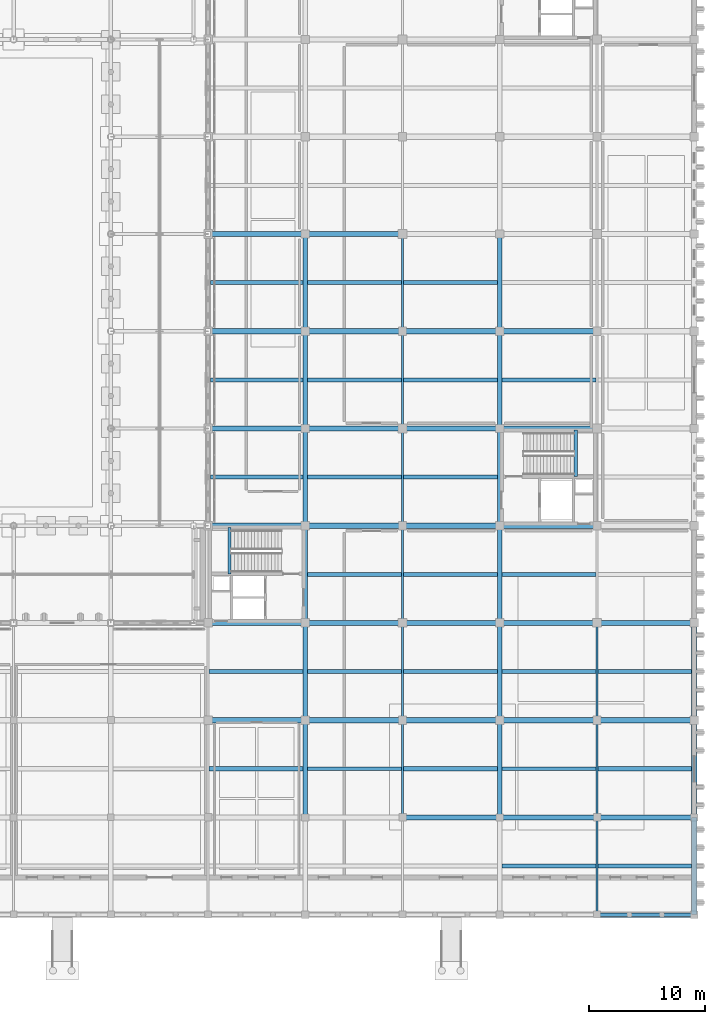
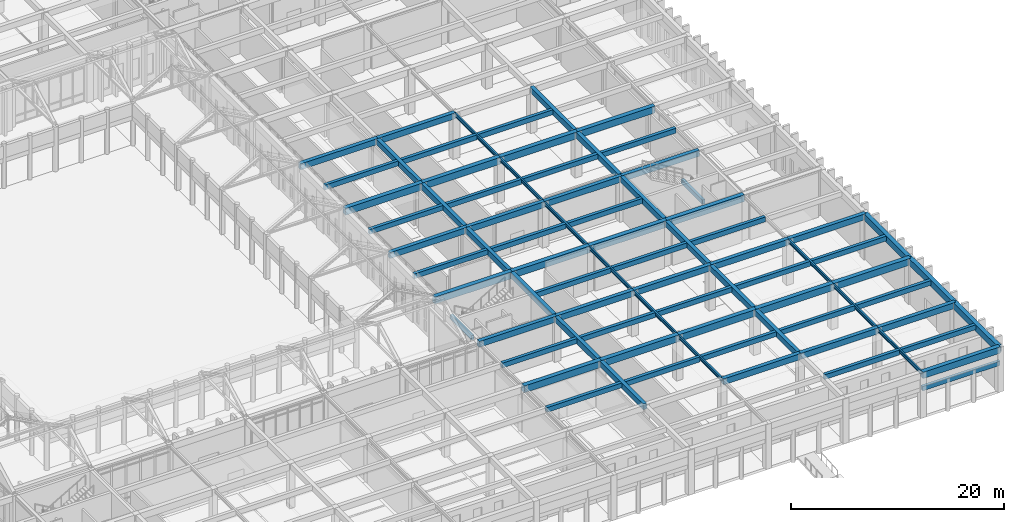
# One storey, part 68 of 143: 80 beams.
"""IFC4 building model written with IfcOpenShell, lengths in metres."""

import ifcopenshell
import ifcopenshell.guid

model = None  # the IFC model being written
_history = None  # IfcOwnerHistory: only IFC2X3 demands one
_inside = {}  # id of a spatial element -> (the spatial element, [elements in it])
_under = {}  # id of a project, library or spatial element -> (it, [spatial elements below it])
_declared = {}  # id of a project -> (the project, [libraries it declares])
_typed = {}  # id of a type object -> (the type object, [elements of that type])
_made_of = {}  # id of a material, layer set ... -> (it, [elements and type objects made of it])


def new_model(schema):
    """Start an empty IFC model of exactly this schema.

    Asked for "IFC4X3", IfcOpenShell would pick the latest addendum, in which some entities
    have other attributes; the version numbers below select the first issue.
    IFC2X3 requires an IfcOwnerHistory on every rooted entity: one is made here for all.
    """
    global model, _history
    if schema == "IFC4X3":
        model = ifcopenshell.file(schema_version=(4, 3, 0, 0))
    else:
        model = ifcopenshell.file(schema=schema)
    _inside.clear()
    _under.clear()
    _declared.clear()
    _typed.clear()
    _made_of.clear()
    _history = None
    if model.schema == "IFC2X3":
        org = make("IfcOrganization", Name="unknown")
        user = make(
            "IfcPersonAndOrganization",
            ThePerson=make("IfcPerson", FamilyName="unknown"),
            TheOrganization=org,
        )
        app = make(
            "IfcApplication",
            ApplicationDeveloper=org,
            Version="unknown",
            ApplicationFullName="unknown",
            ApplicationIdentifier="unknown",
        )
        _history = make(
            "IfcOwnerHistory",
            OwningUser=user,
            OwningApplication=app,
            ChangeAction="ADDED",
            CreationDate=0,
        )
    return model


def make(cls, **values):
    """One entity of the class cls with the attributes given. An attribute that is None is left unset."""
    return model.create_entity(
        cls, **{name: value for name, value in values.items() if value is not None}
    )


def rooted(cls, **values):
    """An entity with a GlobalId (a new one), such as an element, a storey or a relation."""
    return make(cls, GlobalId=ifcopenshell.guid.new(), OwnerHistory=_history, **values)


def si_unit(unit_type, name, prefix=None):
    """IfcSIUnit, for example si_unit("LENGTHUNIT", "METRE", prefix="MILLI")."""
    return make("IfcSIUnit", UnitType=unit_type, Prefix=prefix, Name=name)


def assignment(units):
    """IfcUnitAssignment: the units of a project."""
    return None if units is None else make("IfcUnitAssignment", Units=units)


def point(xyz):
    """IfcCartesianPoint."""
    return None if xyz is None else make("IfcCartesianPoint", Coordinates=xyz)


def direction(xyz):
    """IfcDirection."""
    return None if xyz is None else make("IfcDirection", DirectionRatios=xyz)


def frame(location, z_axis=None, x_axis=None):
    """IfcAxis2Placement3D, a coordinate frame: its origin and axes. An axis left out is left unset."""
    return make(
        "IfcAxis2Placement3D",
        Location=point(location),
        Axis=direction(z_axis),
        RefDirection=direction(x_axis),
    )


def frame_2d(location, x_axis=None):
    """IfcAxis2Placement2D, a coordinate frame in the plane: its origin and x axis."""
    return make(
        "IfcAxis2Placement2D", Location=point(location), RefDirection=direction(x_axis)
    )


def origin():
    """The frame at (0, 0, 0) with its axes left unset."""
    return frame((0.0, 0.0, 0.0))


def origin_2d():
    """The frame at (0, 0) in the plane with its x axis left unset."""
    return frame_2d((0.0, 0.0))


def place(relative_to, where):
    """IfcLocalPlacement: puts the frame where relative to a parent placement (None: the world)."""
    return make(
        "IfcLocalPlacement", PlacementRelTo=relative_to, RelativePlacement=where
    )


def context(
    kind, dimensions, precision=None, world=None, true_north=None, identifier=None
):
    """IfcGeometricRepresentationContext, for example the 3D "Model" context."""
    return make(
        "IfcGeometricRepresentationContext",
        ContextIdentifier=identifier,
        ContextType=kind,
        CoordinateSpaceDimension=dimensions,
        Precision=precision,
        WorldCoordinateSystem=world,
        TrueNorth=true_north,
    )


def subcontext(parent, identifier, kind, view, scale=None):
    """IfcGeometricRepresentationSubContext, for example "Body" below "Model"."""
    return make(
        "IfcGeometricRepresentationSubContext",
        ContextIdentifier=identifier,
        ContextType=kind,
        ParentContext=parent,
        TargetScale=scale,
        TargetView=view,
    )


def project(units=None, contexts=None):
    """IfcProject with its units and contexts."""
    return rooted(
        "IfcProject",
        Name="project",
        RepresentationContexts=contexts,
        UnitsInContext=assignment(units),
    )


def spatial(cls, under=None, at=None, **own):
    """A site, building, storey or space (cls), placed at a placement, below another one or the project."""
    s = rooted(cls, ObjectPlacement=at, **own)
    if under is not None:
        _under.setdefault(under.id(), (under, []))[1].append(s)
    return s


def profile(cls, at=None, kind="AREA", **sizes):
    """A parametric profile (cls). Its sizes go by their IFC names, for example OverallWidth=200.0."""
    return make(cls, ProfileType=kind, Position=at, **sizes)


def rectangle(**sizes):
    """IfcRectangleProfileDef."""
    return profile("IfcRectangleProfileDef", **sizes)


def i_section(**sizes):
    """IfcIShapeProfileDef."""
    return profile("IfcIShapeProfileDef", **sizes)


def extrude(swept, where, along, depth):
    """IfcExtrudedAreaSolid: the profile swept, set in the frame where, extruded along a direction by depth."""
    return make(
        "IfcExtrudedAreaSolid",
        SweptArea=swept,
        Position=where,
        ExtrudedDirection=direction(along),
        Depth=depth,
    )


def shape(context_of_items, identifier, shape_type, items):
    """IfcShapeRepresentation: the items that make up one representation, for example the "Body"."""
    return make(
        "IfcShapeRepresentation",
        ContextOfItems=context_of_items,
        RepresentationIdentifier=identifier,
        RepresentationType=shape_type,
        Items=items,
    )


def material(Name=None, Category=None):
    """IfcMaterial."""
    return make("IfcMaterial", Name=Name, Category=Category)


def material_profile(
    of_material, cross_section, Name=None, Category=None, Priority=None
):
    """IfcMaterialProfile: a cross section and its material."""
    return make(
        "IfcMaterialProfile",
        Name=Name,
        Material=of_material,
        Profile=cross_section,
        Priority=Priority,
        Category=Category,
    )


def profile_set(profiles, Name=None, composite=None):
    """IfcMaterialProfileSet."""
    return make(
        "IfcMaterialProfileSet",
        Name=Name,
        MaterialProfiles=profiles,
        CompositeProfile=composite,
    )


def made_of(thing, what):
    """Note that an element or type object is made of a material, layer set ...; save() writes the relation."""
    if what is not None:
        _made_of.setdefault(what.id(), (what, []))[1].append(thing)
    return thing


def type_object(cls, material=None, **own):
    """A type object (cls), such as IfcWallType, which elements share."""
    return made_of(rooted(cls, **own), material)


def element(
    cls,
    number,
    at=None,
    inside=None,
    cuts=None,
    type_object=None,
    material=None,
    context=None,
    identifier="Body",
    shape_type=None,
    held_by="IfcProductDefinitionShape",
    body=None,
    shapes=None,
    **own,
):
    """One element of the class cls, such as IfcWall. Its Tag is "e" and its number.

    at: its placement. inside: the storey or other place that contains it. cuts: it is an
    opening in that element (IfcRelVoidsElement). A single representation is given by context,
    identifier, shape_type and body (its items); several are given by shapes. held_by: the class
    of the entity that holds the representations. save() writes the other relations.
    """
    e = rooted(cls, Tag="e%d" % number, ObjectPlacement=at, **own)
    if body is not None:
        shapes = [shape(context, identifier, shape_type, body)]
    if shapes is not None:
        e.Representation = make(held_by, Representations=shapes)
    if inside is not None:
        _inside.setdefault(inside.id(), (inside, []))[1].append(e)
    if cuts is not None:
        rooted(
            "IfcRelVoidsElement", RelatingBuildingElement=cuts, RelatedOpeningElement=e
        )
    if type_object is not None:
        _typed.setdefault(type_object.id(), (type_object, []))[1].append(e)
    return made_of(e, material)


def aggregate(whole, parts):
    """IfcRelAggregates: a whole, such as a stair, and the parts it consists of."""
    return rooted("IfcRelAggregates", RelatingObject=whole, RelatedObjects=parts)


def save(model, path):
    """Write the relations noted so far, then the file.

    IfcRelAggregates (storeys below a building ...), IfcRelContainedInSpatialStructure (elements
    in a storey), IfcRelDefinesByType, IfcRelAssociatesMaterial and IfcRelDeclares: one each for
    every whole, place, type object, material and project.
    """
    for whole, parts in _under.values():
        aggregate(whole, parts)
    for where, things in _inside.values():
        rooted(
            "IfcRelContainedInSpatialStructure",
            RelatedElements=things,
            RelatingStructure=where,
        )
    for kind, things in _typed.values():
        rooted("IfcRelDefinesByType", RelatedObjects=things, RelatingType=kind)
    for what, things in _made_of.values():
        rooted("IfcRelAssociatesMaterial", RelatedObjects=things, RelatingMaterial=what)
    for by, libraries in _declared.values():
        rooted("IfcRelDeclares", RelatingContext=by, RelatedDefinitions=libraries)
    model.write(path)


model = new_model("IFC4")

# Units and contexts
model_context = context("Model", 3, precision=1e-05, world=origin(), true_north=direction((0.0, 1.0)))
body_context = subcontext(model_context, "Body", "Model", "MODEL_VIEW")
ifc_project = project(units=[si_unit("LENGTHUNIT", "METRE"), si_unit("AREAUNIT", "SQUARE_METRE"), si_unit("VOLUMEUNIT", "CUBIC_METRE"), si_unit("PLANEANGLEUNIT", "RADIAN"), si_unit("MASSUNIT", "GRAM", prefix="KILO")], contexts=[model_context])

# Site, building, storey
site_placement = place(None, origin())
site = spatial("IfcSite", under=ifc_project, at=site_placement, CompositionType="ELEMENT")
building_placement = place(site_placement, origin())
building = spatial("IfcBuilding", under=site, at=building_placement, Name="Kveldsbrygga Polytechnic", CompositionType="ELEMENT")
storey_placement = place(building_placement, origin())
storey = spatial("IfcBuildingStorey", under=building, at=storey_placement, Name="L00", CompositionType="ELEMENT", Elevation=0.0)

# Beams
ifc_material_1 = material(Name="Concrete C35/45", Category="concrete")
ifc_material_profile_1 = material_profile(ifc_material_1, rectangle(XDim=0.39990234375, YDim=0.64990234375, at=origin_2d()), Name="RC 400x650")
ifc_profile_set_1 = profile_set([ifc_material_profile_1], Name="Concrete C35/45")
beam_type_1 = type_object("IfcBeamType", Name="BM-RC-400x650", PredefinedType="BEAM", material=ifc_profile_set_1)
beam_1_placement = place(storey_placement, frame((134.39990234375, 8.39990234375, 4.81494140625), z_axis=(0.0, 1.0, 0.0), x_axis=(-1.0, 0.0, 0.0)))
element("IfcBeam", 1, at=beam_1_placement, inside=storey, type_object=beam_type_1, Name="Primary Beam BMY-L00-16-01to02", PredefinedType="BEAM", context=body_context, shape_type="SweptSolid", body=[
    extrude(rectangle(XDim=0.39990234375, YDim=0.64990234375, at=origin_2d()), origin(), (0.0, 0.0, 1.0), 8.400146484375),
])
beam_2_placement = place(storey_placement, frame((134.39990234375, 16.800048828125, 4.81494140625), z_axis=(0.0, 1.0, 0.0), x_axis=(-1.0, 0.0, 0.0)))
element("IfcBeam", 2, at=beam_2_placement, inside=storey, type_object=beam_type_1, Name="Primary Beam BMY-L00-16-02to03", PredefinedType="BEAM", context=body_context, shape_type="SweptSolid", body=[
    extrude(rectangle(XDim=0.39990234375, YDim=0.64990234375, at=origin_2d()), origin(), (0.0, 0.0, 1.0), 8.39990234375),
])
beam_3_placement = place(storey_placement, frame((134.39990234375, 25.199951171875, 4.81494140625), z_axis=(0.0, 1.0, 0.0), x_axis=(-1.0, 0.0, 0.0)))
element("IfcBeam", 3, at=beam_3_placement, inside=storey, type_object=beam_type_1, Name="Primary Beam BMY-L00-16-03to04", PredefinedType="BEAM", context=body_context, shape_type="SweptSolid", body=[
    extrude(rectangle(XDim=0.39990234375, YDim=0.64990234375, at=origin_2d()), origin(), (0.0, 0.0, 1.0), 8.400146484375),
])
for number, where, z_axis, x_axis, name in (
    (4, (134.39990234375, 33.60009765625, 4.81494140625), (0.0, 1.0, 0.0), (-1.0, 0.0, 0.0), "Primary Beam BMY-L00-16-04to05"),
    (5, (134.39990234375, 42.0, 4.81494140625), (0.0, 1.0, 0.0), (-1.0, 0.0, 0.0), "Primary Beam BMY-L00-16-05to06"),
):
    element("IfcBeam", number, at=place(storey_placement, frame(where, z_axis=z_axis, x_axis=x_axis)), inside=storey, type_object=beam_type_1, Name=name, PredefinedType="BEAM", context=body_context, shape_type="SweptSolid", body=[
        extrude(rectangle(XDim=0.39990234375, YDim=0.64990234375, at=origin_2d()), origin(), (0.0, 0.0, 1.0), 8.39990234375),
    ])
for number, where, z_axis, x_axis, name in (
    (6, (134.39990234375, 50.39990234375, 4.81494140625), (0.0, 1.0, 0.0), (-1.0, 0.0, 0.0), "Primary Beam BMY-L00-16-06to07"),
    (7, (151.199951171875, 8.39990234375, 4.81494140625), (0.0, 1.0, 0.0), (-1.0, 0.0, 0.0), "Primary Beam BMY-L00-18-01to02"),
):
    element("IfcBeam", number, at=place(storey_placement, frame(where, z_axis=z_axis, x_axis=x_axis)), inside=storey, type_object=beam_type_1, Name=name, PredefinedType="BEAM", context=body_context, shape_type="SweptSolid", body=[
        extrude(rectangle(XDim=0.39990234375, YDim=0.64990234375, at=origin_2d()), origin(), (0.0, 0.0, 1.0), 8.400146484375),
    ])
beam_4_placement = place(storey_placement, frame((151.199951171875, 16.800048828125, 4.81494140625), z_axis=(0.0, 1.0, 0.0), x_axis=(-1.0, 0.0, 0.0)))
element("IfcBeam", 8, at=beam_4_placement, inside=storey, type_object=beam_type_1, Name="Primary Beam BMY-L00-18-02to03", PredefinedType="BEAM", context=body_context, shape_type="SweptSolid", body=[
    extrude(rectangle(XDim=0.39990234375, YDim=0.64990234375, at=origin_2d()), origin(), (0.0, 0.0, 1.0), 8.39990234375),
])
beam_5_placement = place(storey_placement, frame((151.199951171875, 25.199951171875, 4.81494140625), z_axis=(0.0, 1.0, 0.0), x_axis=(-1.0, 0.0, 0.0)))
element("IfcBeam", 9, at=beam_5_placement, inside=storey, type_object=beam_type_1, Name="Primary Beam BMY-L00-18-03to04", PredefinedType="BEAM", context=body_context, shape_type="SweptSolid", body=[
    extrude(rectangle(XDim=0.39990234375, YDim=0.64990234375, at=origin_2d()), origin(), (0.0, 0.0, 1.0), 8.400146484375),
])
for number, where, z_axis, x_axis, name in (
    (10, (151.199951171875, 33.60009765625, 4.81494140625), (0.0, 1.0, 0.0), (-1.0, 0.0, 0.0), "Primary Beam BMY-L00-18-04to05"),
    (11, (151.199951171875, 42.0, 4.81494140625), (0.0, 1.0, 0.0), (-1.0, 0.0, 0.0), "Primary Beam BMY-L00-18-05to06"),
):
    element("IfcBeam", number, at=place(storey_placement, frame(where, z_axis=z_axis, x_axis=x_axis)), inside=storey, type_object=beam_type_1, Name=name, PredefinedType="BEAM", context=body_context, shape_type="SweptSolid", body=[
        extrude(rectangle(XDim=0.39990234375, YDim=0.64990234375, at=origin_2d()), origin(), (0.0, 0.0, 1.0), 8.39990234375),
    ])
beam_6_placement = place(storey_placement, frame((151.199951171875, 50.39990234375, 4.81494140625), z_axis=(0.0, 1.0, 0.0), x_axis=(-1.0, 0.0, 0.0)))
element("IfcBeam", 12, at=beam_6_placement, inside=storey, type_object=beam_type_1, Name="Primary Beam BMY-L00-18-06to07", PredefinedType="BEAM", context=body_context, shape_type="SweptSolid", body=[
    extrude(rectangle(XDim=0.39990234375, YDim=0.64990234375, at=origin_2d()), origin(), (0.0, 0.0, 1.0), 8.400146484375),
])
ifc_material_profile_2 = material_profile(ifc_material_1, rectangle(XDim=0.419921875, YDim=0.679931640625, at=origin_2d()), Name="RC 420x680")
ifc_profile_set_2 = profile_set([ifc_material_profile_2], Name="Concrete C35/45")
beam_type_2 = type_object("IfcBeamType", Name="BM-RC-420x680", PredefinedType="BEAM", material=ifc_profile_set_2)
beam_7_placement = place(storey_placement, frame((142.800048828125, 8.39990234375, 4.800048828125), z_axis=(1.0, 0.0, 0.0), x_axis=(0.0, 1.0, 0.0)))
element("IfcBeam", 13, at=beam_7_placement, inside=storey, type_object=beam_type_2, Name="Primary Beam BMX-L00-17to18-01", PredefinedType="BEAM", context=body_context, shape_type="SweptSolid", body=[
    extrude(rectangle(XDim=0.419921875, YDim=0.679931640625, at=origin_2d()), origin(), (0.0, 0.0, 1.0), 8.39990234375),
])
beam_8_placement = place(storey_placement, frame((151.199951171875, 8.39990234375, 4.800048828125), z_axis=(1.0, 0.0, 0.0), x_axis=(0.0, 1.0, 0.0)))
element("IfcBeam", 14, at=beam_8_placement, inside=storey, type_object=beam_type_2, Name="Primary Beam BMX-L00-18to19-01", PredefinedType="BEAM", context=body_context, shape_type="SweptSolid", body=[
    extrude(rectangle(XDim=0.419921875, YDim=0.679931640625, at=origin_2d()), origin(), (0.0, 0.0, 1.0), 8.400146484375),
])
for number, where, z_axis, x_axis, name in (
    (15, (159.60009765625, 8.39990234375, 4.800048828125), (1.0, 0.0, 0.0), (0.0, 1.0, 0.0), "Primary Beam BMX-L00-19to20-01"),
    (16, (126.0, 25.199951171875, 4.800048828125), (1.0, 0.0, 0.0), (0.0, 1.0, 0.0), "Primary Beam BMX-L00-15to16-03"),
):
    element("IfcBeam", number, at=place(storey_placement, frame(where, z_axis=z_axis, x_axis=x_axis)), inside=storey, type_object=beam_type_2, Name=name, PredefinedType="BEAM", context=body_context, shape_type="SweptSolid", body=[
        extrude(rectangle(XDim=0.419921875, YDim=0.679931640625, at=origin_2d()), origin(), (0.0, 0.0, 1.0), 8.39990234375),
    ])
beam_9_placement = place(storey_placement, frame((134.39990234375, 25.199951171875, 4.800048828125), z_axis=(1.0, 0.0, 0.0), x_axis=(0.0, 1.0, 0.0)))
element("IfcBeam", 17, at=beam_9_placement, inside=storey, type_object=beam_type_2, Name="Primary Beam BMX-L00-16to17-03", PredefinedType="BEAM", context=body_context, shape_type="SweptSolid", body=[
    extrude(rectangle(XDim=0.419921875, YDim=0.679931640625, at=origin_2d()), origin(), (0.0, 0.0, 1.0), 8.400146484375),
])
beam_10_placement = place(storey_placement, frame((142.800048828125, 25.199951171875, 4.800048828125), z_axis=(1.0, 0.0, 0.0), x_axis=(0.0, 1.0, 0.0)))
element("IfcBeam", 18, at=beam_10_placement, inside=storey, type_object=beam_type_2, Name="Primary Beam BMX-L00-17to18-03", PredefinedType="BEAM", context=body_context, shape_type="SweptSolid", body=[
    extrude(rectangle(XDim=0.419921875, YDim=0.679931640625, at=origin_2d()), origin(), (0.0, 0.0, 1.0), 8.39990234375),
])
beam_11_placement = place(storey_placement, frame((151.199951171875, 25.199951171875, 4.800048828125), z_axis=(1.0, 0.0, 0.0), x_axis=(0.0, 1.0, 0.0)))
element("IfcBeam", 19, at=beam_11_placement, inside=storey, type_object=beam_type_2, Name="Primary Beam BMX-L00-18to19-03", PredefinedType="BEAM", context=body_context, shape_type="SweptSolid", body=[
    extrude(rectangle(XDim=0.419921875, YDim=0.679931640625, at=origin_2d()), origin(), (0.0, 0.0, 1.0), 8.400146484375),
])
for number, where, z_axis, x_axis, name in (
    (20, (159.60009765625, 25.199951171875, 4.800048828125), (1.0, 0.0, 0.0), (0.0, 1.0, 0.0), "Primary Beam BMX-L00-19to20-03"),
    (21, (126.0, 42.0, 4.800048828125), (1.0, 0.0, 0.0), (0.0, 1.0, 0.0), "Primary Beam BMX-L00-15to16-05"),
):
    element("IfcBeam", number, at=place(storey_placement, frame(where, z_axis=z_axis, x_axis=x_axis)), inside=storey, type_object=beam_type_2, Name=name, PredefinedType="BEAM", context=body_context, shape_type="SweptSolid", body=[
        extrude(rectangle(XDim=0.419921875, YDim=0.679931640625, at=origin_2d()), origin(), (0.0, 0.0, 1.0), 8.39990234375),
    ])
beam_12_placement = place(storey_placement, frame((134.39990234375, 42.0, 4.800048828125), z_axis=(1.0, 0.0, 0.0), x_axis=(0.0, 1.0, 0.0)))
element("IfcBeam", 22, at=beam_12_placement, inside=storey, type_object=beam_type_2, Name="Primary Beam BMX-L00-16to17-05", PredefinedType="BEAM", context=body_context, shape_type="SweptSolid", body=[
    extrude(rectangle(XDim=0.419921875, YDim=0.679931640625, at=origin_2d()), origin(), (0.0, 0.0, 1.0), 8.400146484375),
])
beam_13_placement = place(storey_placement, frame((142.800048828125, 42.0, 4.800048828125), z_axis=(1.0, 0.0, 0.0), x_axis=(0.0, 1.0, 0.0)))
element("IfcBeam", 23, at=beam_13_placement, inside=storey, type_object=beam_type_2, Name="Primary Beam BMX-L00-17to18-05", PredefinedType="BEAM", context=body_context, shape_type="SweptSolid", body=[
    extrude(rectangle(XDim=0.419921875, YDim=0.679931640625, at=origin_2d()), origin(), (0.0, 0.0, 1.0), 8.39990234375),
])
beam_14_placement = place(storey_placement, frame((151.199951171875, 42.0, 4.800048828125), z_axis=(1.0, 0.0, 0.0), x_axis=(0.0, 1.0, 0.0)))
element("IfcBeam", 24, at=beam_14_placement, inside=storey, type_object=beam_type_2, Name="Primary Beam BMX-L00-18to19-05", PredefinedType="BEAM", context=body_context, shape_type="SweptSolid", body=[
    extrude(rectangle(XDim=0.419921875, YDim=0.679931640625, at=origin_2d()), origin(), (0.0, 0.0, 1.0), 8.400146484375),
])
beam_15_placement = place(storey_placement, frame((126.0, 58.800048828125, 4.800048828125), z_axis=(1.0, 0.0, 0.0), x_axis=(0.0, 1.0, 0.0)))
element("IfcBeam", 25, at=beam_15_placement, inside=storey, type_object=beam_type_2, Name="Primary Beam BMX-L00-15to16-07", PredefinedType="BEAM", context=body_context, shape_type="SweptSolid", body=[
    extrude(rectangle(XDim=0.419921875, YDim=0.679931640625, at=origin_2d()), origin(), (0.0, 0.0, 1.0), 8.39990234375),
])
beam_16_placement = place(storey_placement, frame((134.39990234375, 58.800048828125, 4.800048828125), z_axis=(1.0, 0.0, 0.0), x_axis=(0.0, 1.0, 0.0)))
element("IfcBeam", 26, at=beam_16_placement, inside=storey, type_object=beam_type_2, Name="Primary Beam BMX-L00-16to17-07", PredefinedType="BEAM", context=body_context, shape_type="SweptSolid", body=[
    extrude(rectangle(XDim=0.419921875, YDim=0.679931640625, at=origin_2d()), origin(), (0.0, 0.0, 1.0), 8.400146484375),
])
ifc_material_profile_3 = material_profile(ifc_material_1, rectangle(XDim=0.449951171875, YDim=0.75, at=origin_2d()), Name="RC 450x750")
ifc_profile_set_3 = profile_set([ifc_material_profile_3], Name="Concrete C35/45")
beam_type_3 = type_object("IfcBeamType", Name="BM-RC-450x750", PredefinedType="BEAM", material=ifc_profile_set_3)
beam_17_placement = place(storey_placement, frame((168.0, 0.0, 4.764892578125), z_axis=(0.0, 1.0, 0.0), x_axis=(-1.0, 0.0, 0.0)))
element("IfcBeam", 27, at=beam_17_placement, inside=storey, type_object=beam_type_3, Name="Primary Beam BMY-L00-20-00to01", PredefinedType="BEAM", context=body_context, shape_type="SweptSolid", body=[
    extrude(rectangle(XDim=0.449951171875, YDim=0.75, at=origin_2d()), origin(), (0.0, 0.0, 1.0), 8.39990234375),
])
beam_18_placement = place(storey_placement, frame((168.0, 8.39990234375, 4.764892578125), z_axis=(0.0, 1.0, 0.0), x_axis=(-1.0, 0.0, 0.0)))
element("IfcBeam", 28, at=beam_18_placement, inside=storey, type_object=beam_type_3, Name="Primary Beam BMY-L00-20-01to02", PredefinedType="BEAM", context=body_context, shape_type="SweptSolid", body=[
    extrude(rectangle(XDim=0.449951171875, YDim=0.75, at=origin_2d()), origin(), (0.0, 0.0, 1.0), 8.400146484375),
])
beam_19_placement = place(storey_placement, frame((168.0, 16.800048828125, 4.764892578125), z_axis=(0.0, 1.0, 0.0), x_axis=(-1.0, 0.0, 0.0)))
element("IfcBeam", 29, at=beam_19_placement, inside=storey, type_object=beam_type_3, Name="Primary Beam BMY-L00-20-02to03", PredefinedType="BEAM", context=body_context, shape_type="SweptSolid", body=[
    extrude(rectangle(XDim=0.449951171875, YDim=0.75, at=origin_2d()), origin(), (0.0, 0.0, 1.0), 8.39990234375),
])
ifc_material_profile_4 = material_profile(ifc_material_1, rectangle(XDim=0.4599609375, YDim=0.739990234375, at=origin_2d()), Name="RC 460x740")
ifc_profile_set_4 = profile_set([ifc_material_profile_4], Name="Concrete C35/45")
beam_type_4 = type_object("IfcBeamType", Name="BM-RC-460x740", PredefinedType="BEAM", material=ifc_profile_set_4)
beam_20_placement = place(storey_placement, frame((159.60009765625, 0.0, 4.77001953125), z_axis=(1.0, 0.0, 0.0), x_axis=(0.0, 1.0, 0.0)))
element("IfcBeam", 30, at=beam_20_placement, inside=storey, type_object=beam_type_4, Name="Primary Beam BMX-L00-19to20-00", PredefinedType="BEAM", context=body_context, shape_type="SweptSolid", body=[
    extrude(rectangle(XDim=0.4599609375, YDim=0.739990234375, at=origin_2d()), origin(), (0.0, 0.0, 1.0), 8.39990234375),
])
ifc_material_profile_5 = material_profile(ifc_material_1, rectangle(XDim=0.47998046875, YDim=0.780029296875, at=origin_2d()), Name="RC 480x780")
ifc_profile_set_5 = profile_set([ifc_material_profile_5], Name="Concrete C35/45")
beam_type_5 = type_object("IfcBeamType", Name="BM-RC-480x780", PredefinedType="BEAM", material=ifc_profile_set_5)
beam_21_placement = place(storey_placement, frame((126.0, 16.800048828125, 4.75), z_axis=(1.0, 0.0, 0.0), x_axis=(0.0, 1.0, 0.0)))
element("IfcBeam", 31, at=beam_21_placement, inside=storey, type_object=beam_type_5, Name="Primary Beam BMX-L00-15to16-02", PredefinedType="BEAM", context=body_context, shape_type="SweptSolid", body=[
    extrude(rectangle(XDim=0.47998046875, YDim=0.780029296875, at=origin_2d()), origin(), (0.0, 0.0, 1.0), 8.39990234375),
])
beam_22_placement = place(storey_placement, frame((134.39990234375, 16.800048828125, 4.75), z_axis=(1.0, 0.0, 0.0), x_axis=(0.0, 1.0, 0.0)))
element("IfcBeam", 32, at=beam_22_placement, inside=storey, type_object=beam_type_5, Name="Primary Beam BMX-L00-16to17-02", PredefinedType="BEAM", context=body_context, shape_type="SweptSolid", body=[
    extrude(rectangle(XDim=0.47998046875, YDim=0.780029296875, at=origin_2d()), origin(), (0.0, 0.0, 1.0), 8.400146484375),
])
beam_23_placement = place(storey_placement, frame((142.800048828125, 16.800048828125, 4.75), z_axis=(1.0, 0.0, 0.0), x_axis=(0.0, 1.0, 0.0)))
element("IfcBeam", 33, at=beam_23_placement, inside=storey, type_object=beam_type_5, Name="Primary Beam BMX-L00-17to18-02", PredefinedType="BEAM", context=body_context, shape_type="SweptSolid", body=[
    extrude(rectangle(XDim=0.47998046875, YDim=0.780029296875, at=origin_2d()), origin(), (0.0, 0.0, 1.0), 8.39990234375),
])
beam_24_placement = place(storey_placement, frame((151.199951171875, 16.800048828125, 4.75), z_axis=(1.0, 0.0, 0.0), x_axis=(0.0, 1.0, 0.0)))
element("IfcBeam", 34, at=beam_24_placement, inside=storey, type_object=beam_type_5, Name="Primary Beam BMX-L00-18to19-02", PredefinedType="BEAM", context=body_context, shape_type="SweptSolid", body=[
    extrude(rectangle(XDim=0.47998046875, YDim=0.780029296875, at=origin_2d()), origin(), (0.0, 0.0, 1.0), 8.400146484375),
])
for number, where, z_axis, x_axis, name in (
    (35, (159.60009765625, 16.800048828125, 4.75), (1.0, 0.0, 0.0), (0.0, 1.0, 0.0), "Primary Beam BMX-L00-19to20-02"),
    (36, (126.0, 33.60009765625, 4.75), (1.0, 0.0, 0.0), (0.0, 1.0, 0.0), "Primary Beam BMX-L00-15to16-04"),
):
    element("IfcBeam", number, at=place(storey_placement, frame(where, z_axis=z_axis, x_axis=x_axis)), inside=storey, type_object=beam_type_5, Name=name, PredefinedType="BEAM", context=body_context, shape_type="SweptSolid", body=[
        extrude(rectangle(XDim=0.47998046875, YDim=0.780029296875, at=origin_2d()), origin(), (0.0, 0.0, 1.0), 8.39990234375),
    ])
beam_25_placement = place(storey_placement, frame((134.39990234375, 33.60009765625, 4.75), z_axis=(1.0, 0.0, 0.0), x_axis=(0.0, 1.0, 0.0)))
element("IfcBeam", 37, at=beam_25_placement, inside=storey, type_object=beam_type_5, Name="Primary Beam BMX-L00-16to17-04", PredefinedType="BEAM", context=body_context, shape_type="SweptSolid", body=[
    extrude(rectangle(XDim=0.47998046875, YDim=0.780029296875, at=origin_2d()), origin(), (0.0, 0.0, 1.0), 8.400146484375),
])
beam_26_placement = place(storey_placement, frame((142.800048828125, 33.60009765625, 4.75), z_axis=(1.0, 0.0, 0.0), x_axis=(0.0, 1.0, 0.0)))
element("IfcBeam", 38, at=beam_26_placement, inside=storey, type_object=beam_type_5, Name="Primary Beam BMX-L00-17to18-04", PredefinedType="BEAM", context=body_context, shape_type="SweptSolid", body=[
    extrude(rectangle(XDim=0.47998046875, YDim=0.780029296875, at=origin_2d()), origin(), (0.0, 0.0, 1.0), 8.39990234375),
])
beam_27_placement = place(storey_placement, frame((151.199951171875, 33.60009765625, 4.75), z_axis=(1.0, 0.0, 0.0), x_axis=(0.0, 1.0, 0.0)))
element("IfcBeam", 39, at=beam_27_placement, inside=storey, type_object=beam_type_5, Name="Primary Beam BMX-L00-18to19-04", PredefinedType="BEAM", context=body_context, shape_type="SweptSolid", body=[
    extrude(rectangle(XDim=0.47998046875, YDim=0.780029296875, at=origin_2d()), origin(), (0.0, 0.0, 1.0), 8.400146484375),
])
beam_28_placement = place(storey_placement, frame((126.0, 50.39990234375, 4.75), z_axis=(1.0, 0.0, 0.0), x_axis=(0.0, 1.0, 0.0)))
element("IfcBeam", 40, at=beam_28_placement, inside=storey, type_object=beam_type_5, Name="Primary Beam BMX-L00-15to16-06", PredefinedType="BEAM", context=body_context, shape_type="SweptSolid", body=[
    extrude(rectangle(XDim=0.47998046875, YDim=0.780029296875, at=origin_2d()), origin(), (0.0, 0.0, 1.0), 8.39990234375),
])
beam_29_placement = place(storey_placement, frame((134.39990234375, 50.39990234375, 4.75), z_axis=(1.0, 0.0, 0.0), x_axis=(0.0, 1.0, 0.0)))
element("IfcBeam", 41, at=beam_29_placement, inside=storey, type_object=beam_type_5, Name="Primary Beam BMX-L00-16to17-06", PredefinedType="BEAM", context=body_context, shape_type="SweptSolid", body=[
    extrude(rectangle(XDim=0.47998046875, YDim=0.780029296875, at=origin_2d()), origin(), (0.0, 0.0, 1.0), 8.400146484375),
])
beam_30_placement = place(storey_placement, frame((142.800048828125, 50.39990234375, 4.75), z_axis=(1.0, 0.0, 0.0), x_axis=(0.0, 1.0, 0.0)))
element("IfcBeam", 42, at=beam_30_placement, inside=storey, type_object=beam_type_5, Name="Primary Beam BMX-L00-17to18-06", PredefinedType="BEAM", context=body_context, shape_type="SweptSolid", body=[
    extrude(rectangle(XDim=0.47998046875, YDim=0.780029296875, at=origin_2d()), origin(), (0.0, 0.0, 1.0), 8.39990234375),
])
beam_31_placement = place(storey_placement, frame((151.199951171875, 50.39990234375, 4.75), z_axis=(1.0, 0.0, 0.0), x_axis=(0.0, 1.0, 0.0)))
element("IfcBeam", 43, at=beam_31_placement, inside=storey, type_object=beam_type_5, Name="Primary Beam BMX-L00-18to19-06", PredefinedType="BEAM", context=body_context, shape_type="SweptSolid", body=[
    extrude(rectangle(XDim=0.47998046875, YDim=0.780029296875, at=origin_2d()), origin(), (0.0, 0.0, 1.0), 8.400146484375),
])
ifc_material_2 = material(Name="Steel S355", Category="steel")
ifc_material_profile_6 = material_profile(ifc_material_2, i_section(OverallWidth=0.179931640625, OverallDepth=0.39990234375, WebThickness=0.008544921875, FlangeThickness=0.013427734375, FilletRadius=0.02099609375, at=origin_2d()), Name="IPE 400")
ifc_profile_set_6 = profile_set([ifc_material_profile_6], Name="Steel S355")
beam_type_6 = type_object("IfcBeamType", Name="BM-STL-IPE400", PredefinedType="BEAM", material=ifc_profile_set_6)
beam_32_placement = place(storey_placement, frame((142.800048828125, 8.39990234375, 4.93994140625), z_axis=(0.0, 1.0, 0.0), x_axis=(-1.0, 0.0, 0.0)))
element("IfcBeam", 44, at=beam_32_placement, inside=storey, type_object=beam_type_6, Name="Primary Beam BMY-L00-17-01to02", PredefinedType="BEAM", context=body_context, shape_type="SweptSolid", body=[
    extrude(i_section(OverallWidth=0.179931640625, OverallDepth=0.39990234375, WebThickness=0.008544921875, FlangeThickness=0.013427734375, FilletRadius=0.02099609375, at=origin_2d()), origin(), (0.0, 0.0, 1.0), 8.400146484375),
])
beam_33_placement = place(storey_placement, frame((142.800048828125, 16.800048828125, 4.93994140625), z_axis=(0.0, 1.0, 0.0), x_axis=(-1.0, 0.0, 0.0)))
element("IfcBeam", 45, at=beam_33_placement, inside=storey, type_object=beam_type_6, Name="Primary Beam BMY-L00-17-02to03", PredefinedType="BEAM", context=body_context, shape_type="SweptSolid", body=[
    extrude(i_section(OverallWidth=0.179931640625, OverallDepth=0.39990234375, WebThickness=0.008544921875, FlangeThickness=0.013427734375, FilletRadius=0.02099609375, at=origin_2d()), origin(), (0.0, 0.0, 1.0), 8.39990234375),
])
beam_34_placement = place(storey_placement, frame((142.800048828125, 25.199951171875, 4.93994140625), z_axis=(0.0, 1.0, 0.0), x_axis=(-1.0, 0.0, 0.0)))
element("IfcBeam", 46, at=beam_34_placement, inside=storey, type_object=beam_type_6, Name="Primary Beam BMY-L00-17-03to04", PredefinedType="BEAM", context=body_context, shape_type="SweptSolid", body=[
    extrude(i_section(OverallWidth=0.179931640625, OverallDepth=0.39990234375, WebThickness=0.008544921875, FlangeThickness=0.013427734375, FilletRadius=0.02099609375, at=origin_2d()), origin(), (0.0, 0.0, 1.0), 8.400146484375),
])
for number, where, z_axis, x_axis, name in (
    (47, (142.800048828125, 33.60009765625, 4.93994140625), (0.0, 1.0, 0.0), (-1.0, 0.0, 0.0), "Primary Beam BMY-L00-17-04to05"),
    (48, (142.800048828125, 42.0, 4.93994140625), (0.0, 1.0, 0.0), (-1.0, 0.0, 0.0), "Primary Beam BMY-L00-17-05to06"),
):
    element("IfcBeam", number, at=place(storey_placement, frame(where, z_axis=z_axis, x_axis=x_axis)), inside=storey, type_object=beam_type_6, Name=name, PredefinedType="BEAM", context=body_context, shape_type="SweptSolid", body=[
        extrude(i_section(OverallWidth=0.179931640625, OverallDepth=0.39990234375, WebThickness=0.008544921875, FlangeThickness=0.013427734375, FilletRadius=0.02099609375, at=origin_2d()), origin(), (0.0, 0.0, 1.0), 8.39990234375),
    ])
beam_35_placement = place(storey_placement, frame((142.800048828125, 50.39990234375, 4.93994140625), z_axis=(0.0, 1.0, 0.0), x_axis=(-1.0, 0.0, 0.0)))
element("IfcBeam", 49, at=beam_35_placement, inside=storey, type_object=beam_type_6, Name="Primary Beam BMY-L00-17-06to07", PredefinedType="BEAM", context=body_context, shape_type="SweptSolid", body=[
    extrude(i_section(OverallWidth=0.179931640625, OverallDepth=0.39990234375, WebThickness=0.008544921875, FlangeThickness=0.013427734375, FilletRadius=0.02099609375, at=origin_2d()), origin(), (0.0, 0.0, 1.0), 8.400146484375),
])
beam_36_placement = place(storey_placement, frame((159.60009765625, 0.0, 4.93994140625), z_axis=(0.0, 1.0, 0.0), x_axis=(-1.0, 0.0, 0.0)))
element("IfcBeam", 50, at=beam_36_placement, inside=storey, type_object=beam_type_6, Name="Primary Beam BMY-L00-19-00to01", PredefinedType="BEAM", context=body_context, shape_type="SweptSolid", body=[
    extrude(i_section(OverallWidth=0.179931640625, OverallDepth=0.39990234375, WebThickness=0.008544921875, FlangeThickness=0.013427734375, FilletRadius=0.02099609375, at=origin_2d()), origin(), (0.0, 0.0, 1.0), 8.39990234375),
])
beam_37_placement = place(storey_placement, frame((159.60009765625, 8.39990234375, 4.93994140625), z_axis=(0.0, 1.0, 0.0), x_axis=(-1.0, 0.0, 0.0)))
element("IfcBeam", 51, at=beam_37_placement, inside=storey, type_object=beam_type_6, Name="Primary Beam BMY-L00-19-01to02", PredefinedType="BEAM", context=body_context, shape_type="SweptSolid", body=[
    extrude(i_section(OverallWidth=0.179931640625, OverallDepth=0.39990234375, WebThickness=0.008544921875, FlangeThickness=0.013427734375, FilletRadius=0.02099609375, at=origin_2d()), origin(), (0.0, 0.0, 1.0), 8.400146484375),
])
beam_38_placement = place(storey_placement, frame((159.60009765625, 16.800048828125, 4.93994140625), z_axis=(0.0, 1.0, 0.0), x_axis=(-1.0, 0.0, 0.0)))
element("IfcBeam", 52, at=beam_38_placement, inside=storey, type_object=beam_type_6, Name="Primary Beam BMY-L00-19-02to03", PredefinedType="BEAM", context=body_context, shape_type="SweptSolid", body=[
    extrude(i_section(OverallWidth=0.179931640625, OverallDepth=0.39990234375, WebThickness=0.008544921875, FlangeThickness=0.013427734375, FilletRadius=0.02099609375, at=origin_2d()), origin(), (0.0, 0.0, 1.0), 8.39990234375),
])
ifc_material_profile_7 = material_profile(ifc_material_1, rectangle(XDim=0.340087890625, YDim=0.56005859375, at=origin_2d()), Name="RC 340x560")
ifc_profile_set_7 = profile_set([ifc_material_profile_7], Name="Concrete C35/45")
beam_type_7 = type_object("IfcBeamType", Name="JST-RC-340x560", PredefinedType="JOIST", material=ifc_profile_set_7)
beam_39_placement = place(storey_placement, frame((126.090087890625, 21.0, 4.860107421875), z_axis=(1.0, 0.0, 0.0), x_axis=(0.0, 1.0, 0.0)))
element("IfcBeam", 53, at=beam_39_placement, inside=storey, type_object=beam_type_7, Name="Secondary Joist JST-L00-15-02", PredefinedType="JOIST", context=body_context, shape_type="SweptSolid", body=[
    extrude(rectangle(XDim=0.340087890625, YDim=0.56005859375, at=origin_2d()), origin(), (0.0, 0.0, 1.0), 8.10986328125),
])
for number, where, z_axis, x_axis, name in (
    (54, (126.22509765625, 37.800048828125, 4.860107421875), (1.0, 0.0, 0.0), (0.0, 1.0, 0.0), "Secondary Joist JST-L00-15-04"),
    (55, (126.22509765625, 54.60009765625, 4.860107421875), (1.0, 0.0, 0.0), (0.0, 1.0, 0.0), "Secondary Joist JST-L00-15-06"),
):
    element("IfcBeam", number, at=place(storey_placement, frame(where, z_axis=z_axis, x_axis=x_axis)), inside=storey, type_object=beam_type_7, Name=name, PredefinedType="JOIST", context=body_context, shape_type="SweptSolid", body=[
        extrude(rectangle(XDim=0.340087890625, YDim=0.56005859375, at=origin_2d()), origin(), (0.0, 0.0, 1.0), 7.974853515625),
    ])
for number, where, z_axis, x_axis, name in (
    (56, (134.60009765625, 12.60009765625, 4.860107421875), (1.0, 0.0, 0.0), (0.0, 1.0, 0.0), "Secondary Joist JST-L00-16-01"),
    (57, (134.60009765625, 29.39990234375, 4.860107421875), (1.0, 0.0, 0.0), (0.0, 1.0, 0.0), "Secondary Joist JST-L00-16-03"),
    (58, (134.60009765625, 46.199951171875, 4.860107421875), (1.0, 0.0, 0.0), (0.0, 1.0, 0.0), "Secondary Joist JST-L00-16-05"),
):
    element("IfcBeam", number, at=place(storey_placement, frame(where, z_axis=z_axis, x_axis=x_axis)), inside=storey, type_object=beam_type_7, Name=name, PredefinedType="JOIST", context=body_context, shape_type="SweptSolid", body=[
        extrude(rectangle(XDim=0.340087890625, YDim=0.56005859375, at=origin_2d()), origin(), (0.0, 0.0, 1.0), 8.10986328125),
    ])
for number, where, z_axis, x_axis, name in (
    (59, (142.889892578125, 21.0, 4.860107421875), (1.0, 0.0, 0.0), (0.0, 1.0, 0.0), "Secondary Joist JST-L00-17-02"),
    (60, (142.889892578125, 37.800048828125, 4.860107421875), (1.0, 0.0, 0.0), (0.0, 1.0, 0.0), "Secondary Joist JST-L00-17-04"),
    (61, (142.889892578125, 54.60009765625, 4.860107421875), (1.0, 0.0, 0.0), (0.0, 1.0, 0.0), "Secondary Joist JST-L00-17-06"),
    (62, (151.39990234375, 12.60009765625, 4.860107421875), (1.0, 0.0, 0.0), (0.0, 1.0, 0.0), "Secondary Joist JST-L00-18-01"),
    (63, (151.39990234375, 29.39990234375, 4.860107421875), (1.0, 0.0, 0.0), (0.0, 1.0, 0.0), "Secondary Joist JST-L00-18-03"),
    (64, (151.39990234375, 46.199951171875, 4.860107421875), (1.0, 0.0, 0.0), (0.0, 1.0, 0.0), "Secondary Joist JST-L00-18-05"),
):
    element("IfcBeam", number, at=place(storey_placement, frame(where, z_axis=z_axis, x_axis=x_axis)), inside=storey, type_object=beam_type_7, Name=name, PredefinedType="JOIST", context=body_context, shape_type="SweptSolid", body=[
        extrude(rectangle(XDim=0.340087890625, YDim=0.56005859375, at=origin_2d()), origin(), (0.0, 0.0, 1.0), 8.110107421875),
    ])
for number, where, z_axis, x_axis, name in (
    (65, (159.68994140625, 4.199951171875, 4.860107421875), (1.0, 0.0, 0.0), (0.0, 1.0, 0.0), "Secondary Joist JST-L00-19-00"),
    (66, (159.68994140625, 21.0, 4.860107421875), (1.0, 0.0, 0.0), (0.0, 1.0, 0.0), "Secondary Joist JST-L00-19-02"),
):
    element("IfcBeam", number, at=place(storey_placement, frame(where, z_axis=z_axis, x_axis=x_axis)), inside=storey, type_object=beam_type_7, Name=name, PredefinedType="JOIST", context=body_context, shape_type="SweptSolid", body=[
        extrude(rectangle(XDim=0.340087890625, YDim=0.56005859375, at=origin_2d()), origin(), (0.0, 0.0, 1.0), 8.0849609375),
    ])
ifc_material_profile_8 = material_profile(ifc_material_1, rectangle(XDim=0.35009765625, YDim=0.550048828125, at=origin_2d()), Name="RC 350x550")
ifc_profile_set_8 = profile_set([ifc_material_profile_8], Name="Concrete C35/45")
beam_type_8 = type_object("IfcBeamType", Name="JST-RC-350x550", PredefinedType="JOIST", material=ifc_profile_set_8)
beam_40_placement = place(storey_placement, frame((126.090087890625, 12.60009765625, 4.864990234375), z_axis=(1.0, 0.0, 0.0), x_axis=(0.0, 1.0, 0.0)))
element("IfcBeam", 67, at=beam_40_placement, inside=storey, type_object=beam_type_8, Name="Secondary Joist JST-L00-15-01", PredefinedType="JOIST", context=body_context, shape_type="SweptSolid", body=[
    extrude(rectangle(XDim=0.35009765625, YDim=0.550048828125, at=origin_2d()), origin(), (0.0, 0.0, 1.0), 8.10986328125),
])
beam_41_placement = place(storey_placement, frame((126.22509765625, 46.199951171875, 4.864990234375), z_axis=(1.0, 0.0, 0.0), x_axis=(0.0, 1.0, 0.0)))
element("IfcBeam", 68, at=beam_41_placement, inside=storey, type_object=beam_type_8, Name="Secondary Joist JST-L00-15-05", PredefinedType="JOIST", context=body_context, shape_type="SweptSolid", body=[
    extrude(rectangle(XDim=0.35009765625, YDim=0.550048828125, at=origin_2d()), origin(), (0.0, 0.0, 1.0), 7.974853515625),
])
for number, where, z_axis, x_axis, name in (
    (69, (134.60009765625, 21.0, 4.864990234375), (1.0, 0.0, 0.0), (0.0, 1.0, 0.0), "Secondary Joist JST-L00-16-02"),
    (70, (134.60009765625, 37.800048828125, 4.864990234375), (1.0, 0.0, 0.0), (0.0, 1.0, 0.0), "Secondary Joist JST-L00-16-04"),
    (71, (134.60009765625, 54.60009765625, 4.864990234375), (1.0, 0.0, 0.0), (0.0, 1.0, 0.0), "Secondary Joist JST-L00-16-06"),
):
    element("IfcBeam", number, at=place(storey_placement, frame(where, z_axis=z_axis, x_axis=x_axis)), inside=storey, type_object=beam_type_8, Name=name, PredefinedType="JOIST", context=body_context, shape_type="SweptSolid", body=[
        extrude(rectangle(XDim=0.35009765625, YDim=0.550048828125, at=origin_2d()), origin(), (0.0, 0.0, 1.0), 8.10986328125),
    ])
for number, where, z_axis, x_axis, name in (
    (72, (142.889892578125, 12.60009765625, 4.864990234375), (1.0, 0.0, 0.0), (0.0, 1.0, 0.0), "Secondary Joist JST-L00-17-01"),
    (73, (142.889892578125, 29.39990234375, 4.864990234375), (1.0, 0.0, 0.0), (0.0, 1.0, 0.0), "Secondary Joist JST-L00-17-03"),
    (74, (142.889892578125, 46.199951171875, 4.864990234375), (1.0, 0.0, 0.0), (0.0, 1.0, 0.0), "Secondary Joist JST-L00-17-05"),
    (75, (151.39990234375, 4.199951171875, 4.864990234375), (1.0, 0.0, 0.0), (0.0, 1.0, 0.0), "Secondary Joist JST-L00-18-00"),
    (76, (151.39990234375, 21.0, 4.864990234375), (1.0, 0.0, 0.0), (0.0, 1.0, 0.0), "Secondary Joist JST-L00-18-02"),
):
    element("IfcBeam", number, at=place(storey_placement, frame(where, z_axis=z_axis, x_axis=x_axis)), inside=storey, type_object=beam_type_8, Name=name, PredefinedType="JOIST", context=body_context, shape_type="SweptSolid", body=[
        extrude(rectangle(XDim=0.35009765625, YDim=0.550048828125, at=origin_2d()), origin(), (0.0, 0.0, 1.0), 8.110107421875),
    ])
beam_42_placement = place(storey_placement, frame((159.68994140625, 12.60009765625, 4.864990234375), z_axis=(1.0, 0.0, 0.0), x_axis=(0.0, 1.0, 0.0)))
element("IfcBeam", 77, at=beam_42_placement, inside=storey, type_object=beam_type_8, Name="Secondary Joist JST-L00-19-01", PredefinedType="JOIST", context=body_context, shape_type="SweptSolid", body=[
    extrude(rectangle(XDim=0.35009765625, YDim=0.550048828125, at=origin_2d()), origin(), (0.0, 0.0, 1.0), 8.0849609375),
])
ifc_material_profile_9 = material_profile(ifc_material_1, rectangle(XDim=0.300048828125, YDim=0.5, at=origin_2d()), Name="RC 300x500")
ifc_profile_set_9 = profile_set([ifc_material_profile_9], Name="Concrete C35/45")
beam_type_9 = type_object("IfcBeamType", Name="LNT-RC-300x500", PredefinedType="LINTEL", material=ifc_profile_set_9)
for number, where, z_axis, x_axis, name in (
    (78, (127.85009765625, 29.429931640625, 2.27001953125), (0.0, 1.0, 0.0), (-1.0, 0.0, 0.0), "Stair Landing Support Beam C1-L00-LNDB-1-1"),
    (79, (157.75, 37.830078125, 2.27001953125), (0.0, 1.0, 0.0), (-1.0, 0.0, 0.0), "Stair Landing Support Beam C3-L00-LNDB-1-1"),
):
    element("IfcBeam", number, at=place(storey_placement, frame(where, z_axis=z_axis, x_axis=x_axis)), inside=storey, type_object=beam_type_9, Name=name, PredefinedType="LINTEL", context=body_context, shape_type="SweptSolid", body=[
        extrude(rectangle(XDim=0.300048828125, YDim=0.5, at=origin_2d()), origin(), (0.0, 0.0, 1.0), 4.02001953125),
    ])
beam_43_placement = place(storey_placement, frame((159.60009765625, 0.0, 3.199951171875), z_axis=(1.0, 0.0, 0.0), x_axis=(0.0, 1.0, 0.0)))
element("IfcBeam", 80, at=beam_43_placement, inside=storey, type_object=beam_type_9, Name="Harbour Colonnade Arch Lintel Beam BM-PROM-HDR-19", PredefinedType="LINTEL", context=body_context, shape_type="SweptSolid", body=[
    extrude(rectangle(XDim=0.300048828125, YDim=0.5, at=origin_2d()), origin(), (0.0, 0.0, 1.0), 8.39990234375),
])

save(model, "model.ifc")
